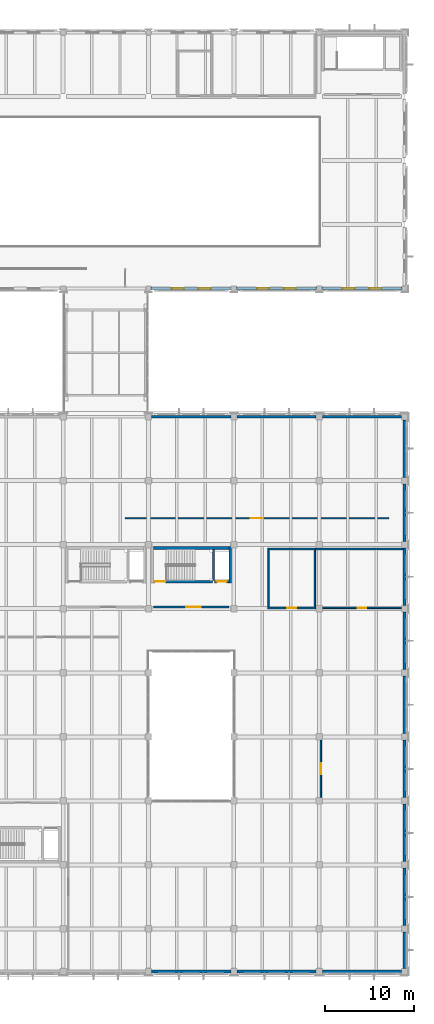
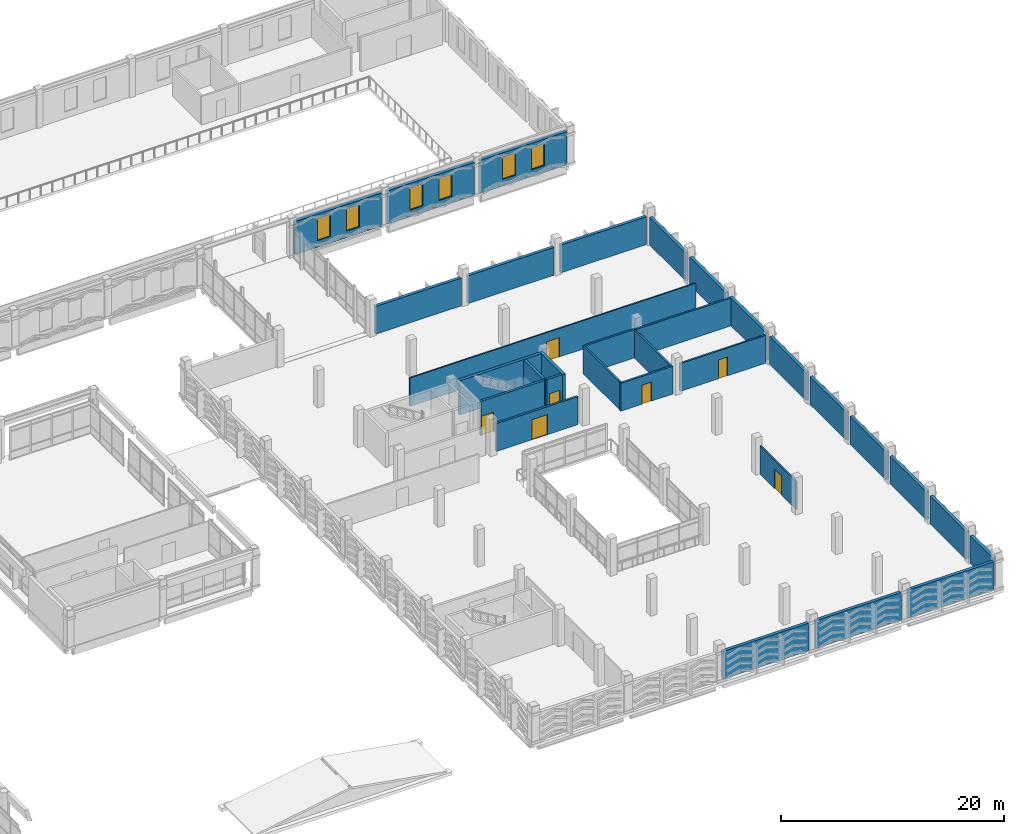
# One storey, part 157 of 180: 32 walls, 7 doors, 6 windows, 13 openings.
"""IFC4 building model written with IfcOpenShell, lengths in metres."""

from ifc_helpers import new_model, si_unit, direction, frame, frame_2d, origin, place, context, subcontext, project, spatial, rectangle, extrude, material, layer, layer_set, type_object, element, fill, save


model = new_model("IFC4")

# Units and contexts
model_context = context("Model", 3, precision=1e-05, world=origin(), true_north=direction((0.0, 1.0)))
body_context = subcontext(model_context, "Body", "Model", "MODEL_VIEW")
ifc_project = project(units=[si_unit("LENGTHUNIT", "METRE"), si_unit("AREAUNIT", "SQUARE_METRE"), si_unit("VOLUMEUNIT", "CUBIC_METRE"), si_unit("PLANEANGLEUNIT", "RADIAN"), si_unit("MASSUNIT", "GRAM", prefix="KILO")], contexts=[model_context])

# Site, building, storey
site_placement = place(None, origin())
site = spatial("IfcSite", under=ifc_project, at=site_placement, CompositionType="ELEMENT")
building_placement = place(site_placement, origin())
building = spatial("IfcBuilding", under=site, at=building_placement, Name="Asteropetra Specialist Clinic", CompositionType="ELEMENT")
storey_placement = place(building_placement, frame((0.0, 0.0, 4.419921875)))
storey = spatial("IfcBuildingStorey", under=building, at=storey_placement, Name="L01", CompositionType="ELEMENT", Elevation=4.419921875)

# Walls
ifc_material_1 = material(Name="Chevron aegean deep", Category="masonry")
ifc_layer_1 = layer(ifc_material_1, 0.31494140625)
ifc_layer_set_1 = layer_set([ifc_layer_1], Name="Chevron aegean deep")
wall_type_1 = type_object("IfcWallType", Name="EW-CHEV-AEG-315", PredefinedType="SOLIDWALL", material=ifc_layer_set_1)
wall_1_placement = place(storey_placement, frame((125.14990234375, 0.0, 0.0), z_axis=(0.0, 0.0, 1.0), x_axis=(1.0, 0.0, 0.0)))
element("IfcWall", 1, at=wall_1_placement, inside=storey, type_object=wall_type_1, Name="Exterior Wall EW-0207", PredefinedType="SOLIDWALL", context=body_context, shape_type="SweptSolid", body=[
    extrude(rectangle(XDim=8.900146484375, YDim=0.31494140625, at=frame_2d((4.4501953125, 0.0))), origin(), (0.0, 0.0, 1.0), 3.06005859375),
])
wall_2_placement = place(storey_placement, frame((134.050048828125, 62.39990234375, 0.0), z_axis=(0.0, 0.0, 1.0), x_axis=(-1.0, 0.0, 0.0)))
element("IfcWall", 2, at=wall_2_placement, inside=storey, type_object=wall_type_1, Name="Exterior Wall EW-0208", PredefinedType="SOLIDWALL", context=body_context, shape_type="SweptSolid", body=[
    extrude(rectangle(XDim=8.900146484375, YDim=0.31494140625, at=frame_2d((4.4501953125, 0.0))), origin(), (0.0, 0.0, 1.0), 3.050048828125),
])
wall_3_placement = place(storey_placement, frame((134.75, 0.0, 0.0), z_axis=(0.0, 0.0, 1.0), x_axis=(1.0, 0.0, 0.0)))
element("IfcWall", 3, at=wall_3_placement, inside=storey, type_object=wall_type_1, Name="Exterior Wall EW-0209", PredefinedType="SOLIDWALL", context=body_context, shape_type="SweptSolid", body=[
    extrude(rectangle(XDim=8.89990234375, YDim=0.31494140625, at=frame_2d((4.449951171875, 0.0))), origin(), (0.0, 0.0, 1.0), 3.06005859375),
])
wall_4_placement = place(storey_placement, frame((143.64990234375, 62.39990234375, 0.0), z_axis=(0.0, 0.0, 1.0), x_axis=(-1.0, 0.0, 0.0)))
element("IfcWall", 4, at=wall_4_placement, inside=storey, type_object=wall_type_1, Name="Exterior Wall EW-0210", PredefinedType="SOLIDWALL", context=body_context, shape_type="SweptSolid", body=[
    extrude(rectangle(XDim=8.89990234375, YDim=0.31494140625, at=frame_2d((4.449951171875, 0.0))), origin(), (0.0, 0.0, 1.0), 3.050048828125),
])
wall_5_placement = place(storey_placement, frame((144.35009765625, 0.0, 0.0), z_axis=(0.0, 0.0, 1.0), x_axis=(1.0, 0.0, 0.0)))
element("IfcWall", 5, at=wall_5_placement, inside=storey, type_object=wall_type_1, Name="Exterior Wall EW-0211", PredefinedType="SOLIDWALL", context=body_context, shape_type="SweptSolid", body=[
    extrude(rectangle(XDim=8.89990234375, YDim=0.31494140625, at=frame_2d((4.449951171875, 0.0))), origin(), (0.0, 0.0, 1.0), 3.06005859375),
])
wall_6_placement = place(storey_placement, frame((153.25, 62.39990234375, 0.0), z_axis=(0.0, 0.0, 1.0), x_axis=(-1.0, 0.0, 0.0)))
element("IfcWall", 6, at=wall_6_placement, inside=storey, type_object=wall_type_1, Name="Exterior Wall EW-0212", PredefinedType="SOLIDWALL", context=body_context, shape_type="SweptSolid", body=[
    extrude(rectangle(XDim=8.89990234375, YDim=0.31494140625, at=frame_2d((4.449951171875, 0.0))), origin(), (0.0, 0.0, 1.0), 3.050048828125),
])
wall_7_placement = place(storey_placement, frame((153.60009765625, 0.35009765625, 0.0), z_axis=(0.0, 0.0, 1.0), x_axis=(0.0, 1.0, 0.0)))
element("IfcWall", 7, at=wall_7_placement, inside=storey, type_object=wall_type_1, Name="Exterior Wall EW-0214", PredefinedType="SOLIDWALL", context=body_context, shape_type="SweptSolid", body=[
    extrude(rectangle(XDim=4.099853515625, YDim=0.31494140625, at=frame_2d((2.0498046875, 0.0))), origin(), (0.0, 0.0, 1.0), 3.06005859375),
])
for number, where, z_axis, x_axis, name in (
    (8, (153.60009765625, 5.14990234375, 0.0), (0.0, 0.0, 1.0), (0.0, 1.0, 0.0), "Exterior Wall EW-0216"),
    (9, (153.60009765625, 12.35009765625, 0.0), (0.0, 0.0, 1.0), (0.0, 1.0, 0.0), "Exterior Wall EW-0218"),
    (10, (153.60009765625, 19.550048828125, 0.0), (0.0, 0.0, 1.0), (0.0, 1.0, 0.0), "Exterior Wall EW-0220"),
    (11, (153.60009765625, 26.75, 0.0), (0.0, 0.0, 1.0), (0.0, 1.0, 0.0), "Exterior Wall EW-0222"),
    (12, (153.60009765625, 33.949951171875, 0.0), (0.0, 0.0, 1.0), (0.0, 1.0, 0.0), "Exterior Wall EW-0224"),
    (13, (153.60009765625, 41.14990234375, 0.0), (0.0, 0.0, 1.0), (0.0, 1.0, 0.0), "Exterior Wall EW-0226"),
):
    element("IfcWall", number, at=place(storey_placement, frame(where, z_axis=z_axis, x_axis=x_axis)), inside=storey, type_object=wall_type_1, Name=name, PredefinedType="SOLIDWALL", context=body_context, shape_type="SweptSolid", body=[
        extrude(rectangle(XDim=6.5, YDim=0.31494140625, at=frame_2d((3.25, 0.0))), origin(), (0.0, 0.0, 1.0), 3.06005859375),
    ])
for number, where, z_axis, x_axis, name in (
    (14, (153.60009765625, 48.35009765625, 0.0), (0.0, 0.0, 1.0), (0.0, 1.0, 0.0), "Exterior Wall EW-0228"),
    (15, (153.60009765625, 55.550048828125, 0.0), (0.0, 0.0, 1.0), (0.0, 1.0, 0.0), "Exterior Wall EW-0230"),
):
    element("IfcWall", number, at=place(storey_placement, frame(where, z_axis=z_axis, x_axis=x_axis)), inside=storey, type_object=wall_type_1, Name=name, PredefinedType="SOLIDWALL", context=body_context, shape_type="SweptSolid", body=[
        extrude(rectangle(XDim=6.5, YDim=0.31494140625, at=frame_2d((3.25, 0.0))), origin(), (0.0, 0.0, 1.0), 3.050048828125),
    ])

# Wall, openings, windows
ifc_material_2 = material(Name="Chevron terracotta deep", Category="masonry")
ifc_layer_2 = layer(ifc_material_2, 0.320068359375)
ifc_layer_set_2 = layer_set([ifc_layer_2], Name="Chevron terracotta deep")
wall_type_2 = type_object("IfcWallType", Name="EW-CHEV-TER-320", PredefinedType="SOLIDWALL", material=ifc_layer_set_2)
wall_8_placement = place(storey_placement, frame((125.10009765625, 76.800048828125, 0.0), z_axis=(0.0, 0.0, 1.0), x_axis=(1.0, 0.0, 0.0)))
wall_8 = element("IfcWall", 16, at=wall_8_placement, inside=storey, type_object=wall_type_2, Name="Exterior Wall EW-0018", PredefinedType="SOLIDWALL", context=body_context, shape_type="SweptSolid", body=[
    extrude(rectangle(XDim=9.0, YDim=0.320068359375, at=frame_2d((4.5, 0.0))), origin(), (0.0, 0.0, 1.0), 3.630126953125),
])
opening_1_placement = place(wall_8_placement, frame((2.324951171875, 0.0, 0.719970703125)))
opening_1 = element("IfcOpeningElement", 17, at=opening_1_placement, cuts=wall_8, Name="Opening W-0017", PredefinedType="OPENING", context=body_context, shape_type="SweptSolid", body=[
    extrude(rectangle(XDim=1.35009765625, YDim=2.419921875, at=frame_2d((0.675048828125, 1.2099609375))), frame((0.0, 0.169921875, 0.0), z_axis=(0.0, -1.0, 0.0), x_axis=(1.0, 0.0, 0.0)), (0.0, 0.0, 1.0), 0.340087890625),
])
opening_2_placement = place(wall_8_placement, frame((5.324951171875, 0.0, 0.719970703125)))
opening_2 = element("IfcOpeningElement", 18, at=opening_2_placement, cuts=wall_8, Name="Opening W-0018", PredefinedType="OPENING", context=body_context, shape_type="SweptSolid", body=[
    extrude(rectangle(XDim=1.35009765625, YDim=2.419921875, at=frame_2d((0.675048828125, 1.2099609375))), frame((0.0, 0.169921875, 0.0), z_axis=(0.0, -1.0, 0.0), x_axis=(1.0, 0.0, 0.0)), (0.0, 0.0, 1.0), 0.340087890625),
])
ifc_material_3 = material(Name="Thermally broken bronze aluminium and low-E glass", Category="aluminium")
window_type = type_object("IfcWindowType", Name="WIN-T23", PartitioningType="DOUBLE_PANEL_VERTICAL", PredefinedType="WINDOW", material=ifc_material_3)
window_1_placement = place(opening_1_placement, origin())
window_1 = element("IfcWindow", 19, at=window_1_placement, inside=storey, type_object=window_type, Name="Window W-0017", OverallHeight=2.419921875, OverallWidth=1.35009765625, PartitioningType="SINGLE_PANEL", PredefinedType="WINDOW", context=body_context, shape_type="SweptSolid", body=[
    extrude(rectangle(XDim=1.35009765625, YDim=2.419921875, at=frame_2d((0.675048828125, 1.2099609375))), frame((0.0, 0.030029296875, 0.0), z_axis=(0.0, -1.0, 0.0), x_axis=(1.0, 0.0, 0.0)), (0.0, 0.0, 1.0), 0.06005859375),
])
fill(opening_1, window_1)
window_2_placement = place(opening_2_placement, origin())
window_2 = element("IfcWindow", 20, at=window_2_placement, inside=storey, type_object=window_type, Name="Window W-0018", OverallHeight=2.419921875, OverallWidth=1.35009765625, PartitioningType="SINGLE_PANEL", PredefinedType="WINDOW", context=body_context, shape_type="SweptSolid", body=[
    extrude(rectangle(XDim=1.35009765625, YDim=2.419921875, at=frame_2d((0.675048828125, 1.2099609375))), frame((0.0, 0.030029296875, 0.0), z_axis=(0.0, -1.0, 0.0), x_axis=(1.0, 0.0, 0.0)), (0.0, 0.0, 1.0), 0.06005859375),
])
fill(opening_2, window_2)

wall_9_placement = place(storey_placement, frame((134.699951171875, 76.800048828125, 0.0), z_axis=(0.0, 0.0, 1.0), x_axis=(1.0, 0.0, 0.0)))
wall_9 = element("IfcWall", 21, at=wall_9_placement, inside=storey, type_object=wall_type_2, Name="Exterior Wall EW-0020", PredefinedType="SOLIDWALL", context=body_context, shape_type="SweptSolid", body=[
    extrude(rectangle(XDim=9.0, YDim=0.320068359375, at=frame_2d((4.5, 0.0))), origin(), (0.0, 0.0, 1.0), 3.630126953125),
])
opening_3_placement = place(wall_9_placement, frame((2.324951171875, 0.0, 0.719970703125)))
opening_3 = element("IfcOpeningElement", 22, at=opening_3_placement, cuts=wall_9, Name="Opening W-0021", PredefinedType="OPENING", context=body_context, shape_type="SweptSolid", body=[
    extrude(rectangle(XDim=1.35009765625, YDim=2.419921875, at=frame_2d((0.675048828125, 1.2099609375))), frame((0.0, 0.169921875, 0.0), z_axis=(0.0, -1.0, 0.0), x_axis=(1.0, 0.0, 0.0)), (0.0, 0.0, 1.0), 0.340087890625),
])
opening_4_placement = place(wall_9_placement, frame((5.324951171875, 0.0, 0.719970703125)))
opening_4 = element("IfcOpeningElement", 23, at=opening_4_placement, cuts=wall_9, Name="Opening W-0022", PredefinedType="OPENING", context=body_context, shape_type="SweptSolid", body=[
    extrude(rectangle(XDim=1.35009765625, YDim=2.419921875, at=frame_2d((0.675048828125, 1.2099609375))), frame((0.0, 0.169921875, 0.0), z_axis=(0.0, -1.0, 0.0), x_axis=(1.0, 0.0, 0.0)), (0.0, 0.0, 1.0), 0.340087890625),
])
window_3_placement = place(opening_3_placement, origin())
window_3 = element("IfcWindow", 24, at=window_3_placement, inside=storey, type_object=window_type, Name="Window W-0021", OverallHeight=2.419921875, OverallWidth=1.35009765625, PartitioningType="SINGLE_PANEL", PredefinedType="WINDOW", context=body_context, shape_type="SweptSolid", body=[
    extrude(rectangle(XDim=1.35009765625, YDim=2.419921875, at=frame_2d((0.675048828125, 1.2099609375))), frame((0.0, 0.030029296875, 0.0), z_axis=(0.0, -1.0, 0.0), x_axis=(1.0, 0.0, 0.0)), (0.0, 0.0, 1.0), 0.06005859375),
])
fill(opening_3, window_3)
window_4_placement = place(opening_4_placement, origin())
window_4 = element("IfcWindow", 25, at=window_4_placement, inside=storey, type_object=window_type, Name="Window W-0022", OverallHeight=2.419921875, OverallWidth=1.35009765625, PartitioningType="SINGLE_PANEL", PredefinedType="WINDOW", context=body_context, shape_type="SweptSolid", body=[
    extrude(rectangle(XDim=1.35009765625, YDim=2.419921875, at=frame_2d((0.675048828125, 1.2099609375))), frame((0.0, 0.030029296875, 0.0), z_axis=(0.0, -1.0, 0.0), x_axis=(1.0, 0.0, 0.0)), (0.0, 0.0, 1.0), 0.06005859375),
])
fill(opening_4, window_4)

wall_10_placement = place(storey_placement, frame((144.300048828125, 76.800048828125, 0.0), z_axis=(0.0, 0.0, 1.0), x_axis=(1.0, 0.0, 0.0)))
wall_10 = element("IfcWall", 26, at=wall_10_placement, inside=storey, type_object=wall_type_2, Name="Exterior Wall EW-0022", PredefinedType="SOLIDWALL", context=body_context, shape_type="SweptSolid", body=[
    extrude(rectangle(XDim=9.0, YDim=0.320068359375, at=frame_2d((4.5, 0.0))), origin(), (0.0, 0.0, 1.0), 3.630126953125),
])
opening_5_placement = place(wall_10_placement, frame((2.324951171875, 0.0, 0.719970703125)))
opening_5 = element("IfcOpeningElement", 27, at=opening_5_placement, cuts=wall_10, Name="Opening W-0025", PredefinedType="OPENING", context=body_context, shape_type="SweptSolid", body=[
    extrude(rectangle(XDim=1.35009765625, YDim=2.419921875, at=frame_2d((0.675048828125, 1.2099609375))), frame((0.0, 0.169921875, 0.0), z_axis=(0.0, -1.0, 0.0), x_axis=(1.0, 0.0, 0.0)), (0.0, 0.0, 1.0), 0.340087890625),
])
opening_6_placement = place(wall_10_placement, frame((5.324951171875, 0.0, 0.719970703125)))
opening_6 = element("IfcOpeningElement", 28, at=opening_6_placement, cuts=wall_10, Name="Opening W-0026", PredefinedType="OPENING", context=body_context, shape_type="SweptSolid", body=[
    extrude(rectangle(XDim=1.35009765625, YDim=2.419921875, at=frame_2d((0.675048828125, 1.2099609375))), frame((0.0, 0.169921875, 0.0), z_axis=(0.0, -1.0, 0.0), x_axis=(1.0, 0.0, 0.0)), (0.0, 0.0, 1.0), 0.340087890625),
])
window_5_placement = place(opening_5_placement, origin())
window_5 = element("IfcWindow", 29, at=window_5_placement, inside=storey, type_object=window_type, Name="Window W-0025", OverallHeight=2.419921875, OverallWidth=1.35009765625, PartitioningType="SINGLE_PANEL", PredefinedType="WINDOW", context=body_context, shape_type="SweptSolid", body=[
    extrude(rectangle(XDim=1.35009765625, YDim=2.419921875, at=frame_2d((0.675048828125, 1.2099609375))), frame((0.0, 0.030029296875, 0.0), z_axis=(0.0, -1.0, 0.0), x_axis=(1.0, 0.0, 0.0)), (0.0, 0.0, 1.0), 0.06005859375),
])
fill(opening_5, window_5)
window_6_placement = place(opening_6_placement, origin())
window_6 = element("IfcWindow", 30, at=window_6_placement, inside=storey, type_object=window_type, Name="Window W-0026", OverallHeight=2.419921875, OverallWidth=1.35009765625, PartitioningType="SINGLE_PANEL", PredefinedType="WINDOW", context=body_context, shape_type="SweptSolid", body=[
    extrude(rectangle(XDim=1.35009765625, YDim=2.419921875, at=frame_2d((0.675048828125, 1.2099609375))), frame((0.0, 0.030029296875, 0.0), z_axis=(0.0, -1.0, 0.0), x_axis=(1.0, 0.0, 0.0)), (0.0, 0.0, 1.0), 0.06005859375),
])
fill(opening_6, window_6)

# Wall, opening, door
ifc_material_4 = material(Name="Fire-rated masonry and gypsum", Category="masonry")
ifc_layer_3 = layer(ifc_material_4, 0.219970703125)
ifc_layer_set_3 = layer_set([ifc_layer_3], Name="Fire-rated masonry and gypsum")
wall_type_3 = type_object("IfcWallType", Name="W-COMP-220", PredefinedType="PARTITIONING", material=ifc_layer_set_3)
wall_11_placement = place(storey_placement, frame((125.360107421875, 41.02001953125, 0.0), z_axis=(0.0, 0.0, 1.0), x_axis=(1.0, 0.0, 0.0)))
wall_11 = element("IfcWall", 31, at=wall_11_placement, inside=storey, type_object=wall_type_3, Name="Core Wall CW-C9-L01-LOB", PredefinedType="PARTITIONING", context=body_context, shape_type="SweptSolid", body=[
    extrude(rectangle(XDim=8.47998046875, YDim=0.219970703125, at=frame_2d((4.239990234375, 0.0))), origin(), (0.0, 0.0, 1.0), 3.06005859375),
])
opening_7_placement = place(wall_11_placement, frame((3.699951171875, 0.0, 0.0)))
opening_7 = element("IfcOpeningElement", 32, at=opening_7_placement, cuts=wall_11, Name="Opening FD-078", PredefinedType="OPENING", context=body_context, shape_type="SweptSolid", body=[
    extrude(rectangle(XDim=1.60009765625, YDim=2.199951171875, at=frame_2d((0.800048828125, 1.10009765625))), frame((0.0, 0.119873046875, 0.0), z_axis=(0.0, -1.0, 0.0), x_axis=(1.0, 0.0, 0.0)), (0.0, 0.0, 1.0), 0.239990234375),
])
ifc_material_5 = material(Name="Fire-rated steel and vision glass door", Category="steel")
door_type_1 = type_object("IfcDoorType", Name="FD-LOBBY-1600", OperationType="DOUBLE_DOOR_SINGLE_SWING", PredefinedType="DOOR", material=ifc_material_5)
door_1_placement = place(opening_7_placement, origin())
door_1 = element("IfcDoor", 33, at=door_1_placement, inside=storey, type_object=door_type_1, Name="Lobby Fire Door FD-078", OperationType="DOUBLE_DOOR_SINGLE_SWING", OverallHeight=2.199951171875, OverallWidth=1.60009765625, PredefinedType="DOOR", context=body_context, shape_type="SweptSolid", body=[
    extrude(rectangle(XDim=1.60009765625, YDim=2.199951171875, at=frame_2d((0.800048828125, 1.10009765625))), frame((0.0, 0.02490234375, 0.0), z_axis=(0.0, -1.0, 0.0), x_axis=(1.0, 0.0, 0.0)), (0.0, 0.0, 1.0), 0.050048828125),
])
fill(opening_7, door_1)

# Walls
ifc_material_6 = material(Name="Concrete C35/45", Category="concrete")
ifc_layer_4 = layer(ifc_material_6, 0.300048828125)
ifc_layer_set_4 = layer_set([ifc_layer_4], Name="Concrete C35/45")
wall_type_4 = type_object("IfcWallType", Name="W-CORE-300", PredefinedType="SHEAR", material=ifc_layer_set_4)
wall_12_placement = place(storey_placement, frame((133.97998046875, 43.68994140625, 0.0), z_axis=(0.0, 0.0, 1.0), x_axis=(0.0, 1.0, 0.0)))
element("IfcWall", 34, at=wall_12_placement, inside=storey, type_object=wall_type_4, Name="Core Wall CW-C9-L01-E", PredefinedType="SHEAR", context=body_context, shape_type="SweptSolid", body=[
    extrude(rectangle(XDim=4.10009765625, YDim=0.300048828125, at=frame_2d((2.050048828125, 0.0))), origin(), (0.0, 0.0, 1.0), 3.780029296875),
])
wall_13_placement = place(storey_placement, frame((125.364990234375, 47.639892578125, 0.0), z_axis=(0.0, 0.0, 1.0), x_axis=(1.0, 0.0, 0.0)))
element("IfcWall", 35, at=wall_13_placement, inside=storey, type_object=wall_type_4, Name="Core Wall CW-C9-L01-BACK", PredefinedType="SHEAR", context=body_context, shape_type="SweptSolid", body=[
    extrude(rectangle(XDim=8.469970703125, YDim=0.300048828125, at=frame_2d((4.23486328125, 0.0))), origin(), (0.0, 0.0, 1.0), 3.780029296875),
])

# Wall, opening, door
ifc_material_7 = material(Name="Laboratory partition", Category="masonry")
ifc_layer_5 = layer(ifc_material_7, 0.139892578125)
ifc_layer_set_5 = layer_set([ifc_layer_5], Name="Laboratory partition")
wall_type_5 = type_object("IfcWallType", Name="W-PART-140", PredefinedType="PARTITIONING", material=ifc_layer_set_5)
wall_14_placement = place(storey_placement, frame((122.179931640625, 50.97998046875, 0.0), z_axis=(0.0, 0.0, 1.0), x_axis=(1.0, 0.0, 0.0)))
wall_14 = element("IfcWall", 36, at=wall_14_placement, inside=storey, type_object=wall_type_5, Name="Interior Partition PW-0117", PredefinedType="PARTITIONING", context=body_context, shape_type="SweptSolid", body=[
    extrude(rectangle(XDim=29.64013671875, YDim=0.139892578125, at=frame_2d((14.820068359375, 0.0))), origin(), (0.0, 0.0, 1.0), 3.1201171875),
])
opening_8_placement = place(wall_14_placement, frame((14.14501953125, 0.0, 0.0)))
opening_8 = element("IfcOpeningElement", 37, at=opening_8_placement, cuts=wall_14, Name="Opening ID-0077", PredefinedType="OPENING", context=body_context, shape_type="SweptSolid", body=[
    extrude(rectangle(XDim=1.35009765625, YDim=2.1201171875, at=frame_2d((0.675048828125, 1.06005859375))), frame((0.0, 0.079833984375, 0.0), z_axis=(0.0, -1.0, 0.0), x_axis=(1.0, 0.0, 0.0)), (0.0, 0.0, 1.0), 0.159912109375),
])
ifc_material_8 = material(Name="Antimicrobial laminate timber leaf in steel frame", Category="steel")
door_type_2 = type_object("IfcDoorType", Name="ID-LAB-1350", OperationType="NOTDEFINED", PredefinedType="DOOR", material=ifc_material_8)
door_2_placement = place(opening_8_placement, origin())
door_2 = element("IfcDoor", 38, at=door_2_placement, inside=storey, type_object=door_type_2, Name="Interior Door ID-0077", OperationType="SINGLE_SWING_RIGHT", OverallHeight=2.1201171875, OverallWidth=1.35009765625, PredefinedType="DOOR", context=body_context, shape_type="SweptSolid", body=[
    extrude(rectangle(XDim=1.35009765625, YDim=2.1201171875, at=frame_2d((0.675048828125, 1.06005859375))), frame((0.0, 0.02490234375, 0.0), z_axis=(0.0, -1.0, 0.0), x_axis=(1.0, 0.0, 0.0)), (0.0, 0.0, 1.0), 0.050048828125),
])
fill(opening_8, door_2)

ifc_material_9 = material(Name="Clinical consulting partition", Category="masonry")
ifc_layer_6 = layer(ifc_material_9, 0.14990234375)
ifc_layer_set_6 = layer_set([ifc_layer_6], Name="Clinical consulting partition")
wall_type_6 = type_object("IfcWallType", Name="W-PART-150", PredefinedType="PARTITIONING", material=ifc_layer_set_6)
wall_15_placement = place(storey_placement, frame((144.179931640625, 19.554931640625, 0.0), z_axis=(0.0, 0.0, 1.0), x_axis=(0.0, 1.0, 0.0)))
wall_15 = element("IfcWall", 39, at=wall_15_placement, inside=storey, type_object=wall_type_6, Name="Interior Partition PW-0116", PredefinedType="PARTITIONING", context=body_context, shape_type="SweptSolid", body=[
    extrude(rectangle(XDim=6.489990234375, YDim=0.14990234375, at=frame_2d((3.2451171875, 0.0))), origin(), (0.0, 0.0, 1.0), 3.110107421875),
])
opening_9_placement = place(wall_15_placement, frame((2.6201171875, 0.0, 0.0)))
opening_9 = element("IfcOpeningElement", 40, at=opening_9_placement, cuts=wall_15, Name="Opening ID-0076", PredefinedType="OPENING", context=body_context, shape_type="SweptSolid", body=[
    extrude(rectangle(XDim=1.25, YDim=2.1201171875, at=frame_2d((0.625, 1.06005859375))), frame((0.0, 0.0849609375, 0.0), z_axis=(0.0, -1.0, 0.0), x_axis=(1.0, 0.0, 0.0)), (0.0, 0.0, 1.0), 0.169921875),
])
ifc_material_10 = material(Name="Antimicrobial laminate timber leaf in steel frame", Category="steel")
door_type_3 = type_object("IfcDoorType", Name="ID-SEMIN-1250", OperationType="NOTDEFINED", PredefinedType="DOOR", material=ifc_material_10)
door_3_placement = place(opening_9_placement, origin())
door_3 = element("IfcDoor", 41, at=door_3_placement, inside=storey, type_object=door_type_3, Name="Interior Door ID-0076", OperationType="SINGLE_SWING_LEFT", OverallHeight=2.1201171875, OverallWidth=1.25, PredefinedType="DOOR", context=body_context, shape_type="SweptSolid", body=[
    extrude(rectangle(XDim=1.25, YDim=2.1201171875, at=frame_2d((0.625, 1.06005859375))), frame((0.0, 0.02490234375, 0.0), z_axis=(0.0, -1.0, 0.0), x_axis=(1.0, 0.0, 0.0)), (0.0, 0.0, 1.0), 0.050048828125),
])
fill(opening_9, door_3)

# Walls
ifc_material_11 = material(Name="En-suite plumbing wall", Category="masonry")
ifc_layer_7 = layer(ifc_material_11, 0.169921875)
ifc_layer_set_7 = layer_set([ifc_layer_7], Name="En-suite plumbing wall")
wall_type_7 = type_object("IfcWallType", Name="W-PLUMB-170", PredefinedType="PLUMBINGWALL", material=ifc_layer_set_7)
wall_16_placement = place(storey_placement, frame((138.2900390625, 40.991943359375, 0.0), z_axis=(0.0, 0.0, 1.0), x_axis=(0.0, 1.0, 0.0)))
element("IfcWall", 42, at=wall_16_placement, inside=storey, type_object=wall_type_7, Name="Interior Partition PW-0089", PredefinedType="PLUMBINGWALL", context=body_context, shape_type="SweptSolid", body=[
    extrude(rectangle(XDim=6.613037109375, YDim=0.169921875, at=frame_2d((3.306640625, 0.0))), origin(), (0.0, 0.0, 1.0), 3.06005859375),
])
wall_17_placement = place(storey_placement, frame((143.510009765625, 40.991943359375, 0.0), z_axis=(0.0, 0.0, 1.0), x_axis=(0.0, 1.0, 0.0)))
element("IfcWall", 43, at=wall_17_placement, inside=storey, type_object=wall_type_7, Name="Interior Partition PW-0091", PredefinedType="PLUMBINGWALL", context=body_context, shape_type="SweptSolid", body=[
    extrude(rectangle(XDim=6.416015625, YDim=0.169921875, at=frame_2d((3.2080078125, 0.0))), origin(), (0.0, 0.0, 1.0), 3.06005859375),
])

# Wall, opening, door
wall_18_placement = place(storey_placement, frame((144.35498046875, 40.889892578125, 0.0), z_axis=(0.0, 0.0, 1.0), x_axis=(1.0, 0.0, 0.0)))
wall_18 = element("IfcWall", 44, at=wall_18_placement, inside=storey, type_object=wall_type_7, Name="Interior Partition PW-0093", PredefinedType="PLUMBINGWALL", context=body_context, shape_type="SweptSolid", body=[
    extrude(rectangle(XDim=8.89013671875, YDim=0.169921875, at=frame_2d((4.445068359375, 0.0))), origin(), (0.0, 0.0, 1.0), 3.06005859375),
])
opening_10_placement = place(wall_18_placement, frame((3.985107421875, 0.0, 0.0)))
opening_10 = element("IfcOpeningElement", 45, at=opening_10_placement, cuts=wall_18, Name="Opening ID-0053", PredefinedType="OPENING", context=body_context, shape_type="SweptSolid", body=[
    extrude(rectangle(XDim=0.919921875, YDim=2.080078125, at=frame_2d((0.4599609375, 1.0400390625))), frame((0.0, 0.094970703125, 0.0), z_axis=(0.0, -1.0, 0.0), x_axis=(1.0, 0.0, 0.0)), (0.0, 0.0, 1.0), 0.18994140625),
])
ifc_material_12 = material(Name="Antimicrobial laminate timber leaf in steel frame", Category="steel")
door_type_4 = type_object("IfcDoorType", Name="ID-WC-0920", OperationType="NOTDEFINED", PredefinedType="DOOR", material=ifc_material_12)
door_4_placement = place(opening_10_placement, origin())
door_4 = element("IfcDoor", 46, at=door_4_placement, inside=storey, type_object=door_type_4, Name="Interior Door ID-0053", OperationType="SINGLE_SWING_RIGHT", OverallHeight=2.080078125, OverallWidth=0.919921875, PredefinedType="DOOR", context=body_context, shape_type="SweptSolid", body=[
    extrude(rectangle(XDim=0.919921875, YDim=2.080078125, at=frame_2d((0.4599609375, 1.0400390625))), frame((0.0, 0.02490234375, 0.0), z_axis=(0.0, -1.0, 0.0), x_axis=(1.0, 0.0, 0.0)), (0.0, 0.0, 1.0), 0.050048828125),
])
fill(opening_10, door_4)

ifc_material_13 = material(Name="Sanitary service-chase wall", Category="masonry")
ifc_layer_8 = layer(ifc_material_13, 0.199951171875)
ifc_layer_set_8 = layer_set([ifc_layer_8], Name="Sanitary service-chase wall")
wall_type_8 = type_object("IfcWallType", Name="W-PLUMB-200", PredefinedType="PLUMBINGWALL", material=ifc_layer_set_8)
wall_19_placement = place(storey_placement, frame((138.195068359375, 40.889892578125, 0.0), z_axis=(0.0, 0.0, 1.0), x_axis=(1.0, 0.0, 0.0)))
wall_19 = element("IfcWall", 47, at=wall_19_placement, inside=storey, type_object=wall_type_8, Name="Interior Partition PW-0088", PredefinedType="PLUMBINGWALL", context=body_context, shape_type="SweptSolid", body=[
    extrude(rectangle(XDim=5.409912109375, YDim=0.199951171875, at=frame_2d((2.705078125, 0.0))), origin(), (0.0, 0.0, 1.0), 3.06005859375),
])
opening_11_placement = place(wall_19_placement, frame((2.215087890625, 0.0, 0.0)))
opening_11 = element("IfcOpeningElement", 48, at=opening_11_placement, cuts=wall_19, Name="Opening ID-0052", PredefinedType="OPENING", context=body_context, shape_type="SweptSolid", body=[
    extrude(rectangle(XDim=0.97998046875, YDim=2.080078125, at=frame_2d((0.489990234375, 1.0400390625))), frame((0.0, 0.10986328125, 0.0), z_axis=(0.0, -1.0, 0.0), x_axis=(1.0, 0.0, 0.0)), (0.0, 0.0, 1.0), 0.219970703125),
])
ifc_material_14 = material(Name="Antimicrobial laminate timber leaf in steel frame", Category="steel")
door_type_5 = type_object("IfcDoorType", Name="ID-AWC-0980", OperationType="NOTDEFINED", PredefinedType="DOOR", material=ifc_material_14)
door_5_placement = place(opening_11_placement, origin())
door_5 = element("IfcDoor", 49, at=door_5_placement, inside=storey, type_object=door_type_5, Name="Interior Door ID-0052", OperationType="SINGLE_SWING_LEFT", OverallHeight=2.080078125, OverallWidth=0.97998046875, PredefinedType="DOOR", context=body_context, shape_type="SweptSolid", body=[
    extrude(rectangle(XDim=0.97998046875, YDim=2.080078125, at=frame_2d((0.489990234375, 1.0400390625))), frame((0.0, 0.02490234375, 0.0), z_axis=(0.0, -1.0, 0.0), x_axis=(1.0, 0.0, 0.0)), (0.0, 0.0, 1.0), 0.050048828125),
])
fill(opening_11, door_5)

# Walls
wall_20_placement = place(storey_placement, frame((138.376953125, 47.510009765625, 0.0), z_axis=(0.0, 0.0, 1.0), x_axis=(1.0, 0.0, 0.0)))
element("IfcWall", 50, at=wall_20_placement, inside=storey, type_object=wall_type_8, Name="Interior Partition PW-0090", PredefinedType="PLUMBINGWALL", context=body_context, shape_type="SweptSolid", body=[
    extrude(rectangle(XDim=5.22802734375, YDim=0.199951171875, at=frame_2d((2.614013671875, 0.0))), origin(), (0.0, 0.0, 1.0), 3.1201171875),
])
wall_21_placement = place(storey_placement, frame((143.596923828125, 47.510009765625, 0.0), z_axis=(0.0, 0.0, 1.0), x_axis=(1.0, 0.0, 0.0)))
element("IfcWall", 51, at=wall_21_placement, inside=storey, type_object=wall_type_8, Name="Interior Partition PW-0092", PredefinedType="PLUMBINGWALL", context=body_context, shape_type="SweptSolid", body=[
    extrude(rectangle(XDim=9.843505859375, YDim=0.199951171875, at=frame_2d((4.921875, 0.0))), origin(), (0.0, 0.0, 1.0), 3.06005859375),
])
ifc_material_15 = material(Name="Concrete C35/45", Category="concrete")
ifc_layer_9 = layer(ifc_material_15, 0.25)
ifc_layer_set_9 = layer_set([ifc_layer_9], Name="Concrete C35/45")
wall_type_9 = type_object("IfcWallType", Name="W-SHAFT-250", PredefinedType="SHEAR", material=ifc_layer_set_9)
wall_22_placement = place(storey_placement, frame((132.10009765625, 43.9599609375, 0.0), z_axis=(0.0, 0.0, 1.0), x_axis=(0.0, 1.0, 0.0)))
element("IfcWall", 52, at=wall_22_placement, inside=storey, type_object=wall_type_9, Name="Core Wall CW-C9-L01-MID", PredefinedType="SHEAR", context=body_context, shape_type="SweptSolid", body=[
    extrude(rectangle(XDim=3.530029296875, YDim=0.25, at=frame_2d((1.76513671875, 0.0))), origin(), (0.0, 0.0, 1.0), 3.780029296875),
])

# Wall, opening, door
wall_23_placement = place(storey_placement, frame((125.364990234375, 43.840087890625, 0.0), z_axis=(0.0, 0.0, 1.0), x_axis=(1.0, 0.0, 0.0)))
wall_23 = element("IfcWall", 53, at=wall_23_placement, inside=storey, type_object=wall_type_9, Name="Core Wall CW-C9-L01-STDIV", PredefinedType="SHEAR", context=body_context, shape_type="SweptSolid", body=[
    extrude(rectangle(XDim=6.614990234375, YDim=0.25, at=frame_2d((3.3076171875, 0.0))), origin(), (0.0, 0.0, 1.0), 3.780029296875),
])
opening_12_placement = place(wall_23_placement, frame((0.080078125, 0.0, 0.0)))
opening_12 = element("IfcOpeningElement", 54, at=opening_12_placement, cuts=wall_23, Name="Opening FD-077", PredefinedType="OPENING", context=body_context, shape_type="SweptSolid", body=[
    extrude(rectangle(XDim=1.239990234375, YDim=2.14990234375, at=frame_2d((0.6201171875, 1.074951171875))), frame((0.0, 0.135009765625, 0.0), z_axis=(0.0, -1.0, 0.0), x_axis=(1.0, 0.0, 0.0)), (0.0, 0.0, 1.0), 0.27001953125),
])
ifc_material_16 = material(Name="Fire-rated steel and vision glass door", Category="steel")
door_type_6 = type_object("IfcDoorType", Name="FD-STAIR-1400", OperationType="DOUBLE_DOOR_SINGLE_SWING", PredefinedType="DOOR", material=ifc_material_16)
door_6_placement = place(opening_12_placement, origin())
door_6 = element("IfcDoor", 55, at=door_6_placement, inside=storey, type_object=door_type_6, Name="Stair Fire Door FD-077", OperationType="DOUBLE_DOOR_SINGLE_SWING", OverallHeight=2.14990234375, OverallWidth=1.239990234375, PredefinedType="DOOR", context=body_context, shape_type="SweptSolid", body=[
    extrude(rectangle(XDim=1.239990234375, YDim=2.14990234375, at=frame_2d((0.6201171875, 1.074951171875))), frame((0.0, 0.02490234375, 0.0), z_axis=(0.0, -1.0, 0.0), x_axis=(1.0, 0.0, 0.0)), (0.0, 0.0, 1.0), 0.050048828125),
])
fill(opening_12, door_6)

wall_24_placement = place(storey_placement, frame((132.219970703125, 43.840087890625, 0.0), z_axis=(0.0, 0.0, 1.0), x_axis=(1.0, 0.0, 0.0)))
wall_24 = element("IfcWall", 56, at=wall_24_placement, inside=storey, type_object=wall_type_9, Name="Lift Shaft Front Wall CW-C9-L01-LFTF", PredefinedType="SHEAR", context=body_context, shape_type="SweptSolid", body=[
    extrude(rectangle(XDim=1.614990234375, YDim=0.25, at=frame_2d((0.8076171875, 0.0))), origin(), (0.0, 0.0, 1.0), 3.780029296875),
])
opening_13_placement = place(wall_24_placement, frame((0.257568359375, 0.0, 0.0)))
opening_13 = element("IfcOpeningElement", 57, at=opening_13_placement, cuts=wall_24, Name="Opening LD-039", PredefinedType="OPENING", context=body_context, shape_type="SweptSolid", body=[
    extrude(rectangle(XDim=1.10009765625, YDim=2.14990234375, at=frame_2d((0.550048828125, 1.074951171875))), frame((0.0, 0.135009765625, 0.0), z_axis=(0.0, -1.0, 0.0), x_axis=(1.0, 0.0, 0.0)), (0.0, 0.0, 1.0), 0.27001953125),
])
ifc_material_17 = material(Name="Brushed stainless steel sliding lift landing door", Category="steel")
door_type_7 = type_object("IfcDoorType", Name="LD-PASS-1100", OperationType="DOUBLE_DOOR_SLIDING", PredefinedType="DOOR", material=ifc_material_17)
door_7_placement = place(opening_13_placement, origin())
door_7 = element("IfcDoor", 58, at=door_7_placement, inside=storey, type_object=door_type_7, Name="Lift Landing Door LD-039", OperationType="DOUBLE_DOOR_SLIDING", OverallHeight=2.14990234375, OverallWidth=1.10009765625, PredefinedType="DOOR", context=body_context, shape_type="SweptSolid", body=[
    extrude(rectangle(XDim=1.10009765625, YDim=2.14990234375, at=frame_2d((0.550048828125, 1.074951171875))), frame((0.0, 0.02490234375, 0.0), z_axis=(0.0, -1.0, 0.0), x_axis=(1.0, 0.0, 0.0)), (0.0, 0.0, 1.0), 0.050048828125),
])
fill(opening_13, door_7)

save(model, "model.ifc")
